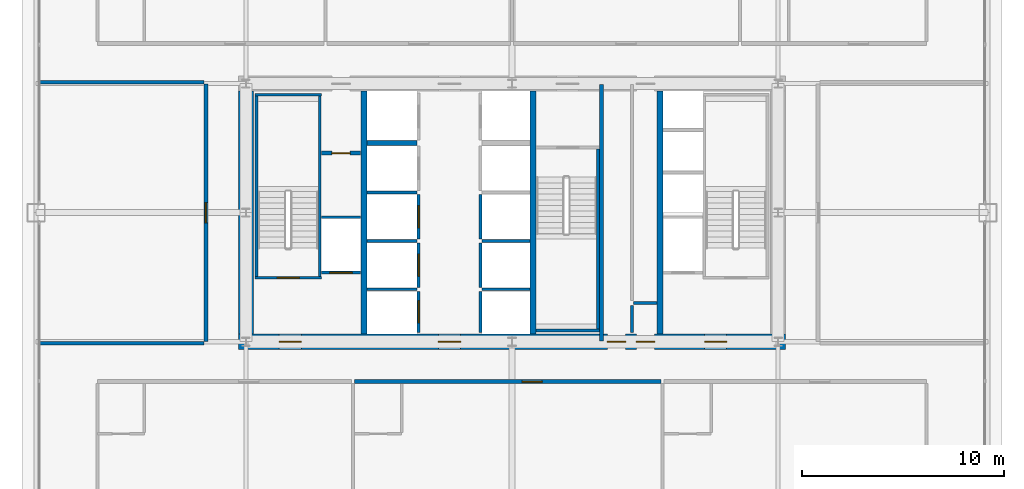
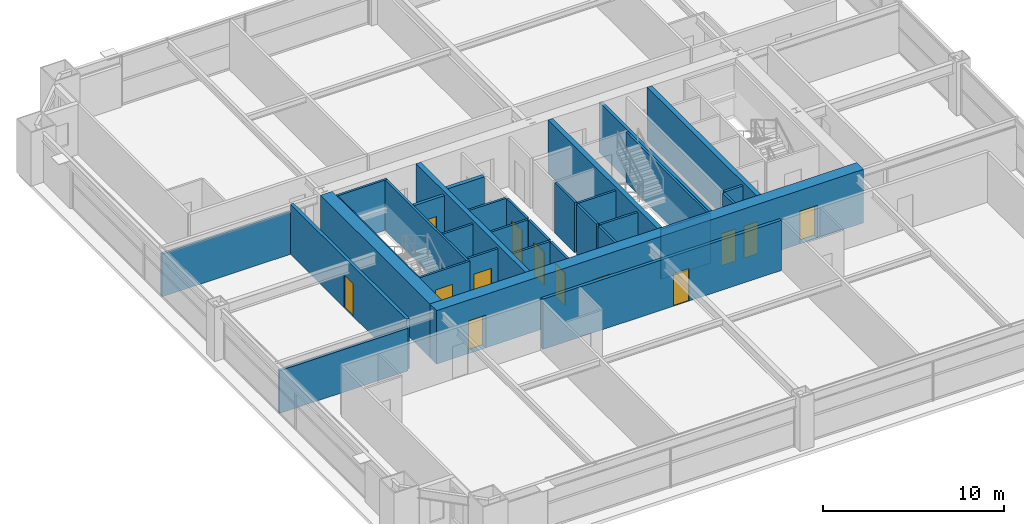
# One storey, part 34 of 37: 33 walls, 13 doors, 13 openings.
"""IFC4 building model written with IfcOpenShell, lengths in metres."""

from ifc_helpers import new_model, si_unit, direction, frame, frame_2d, origin, place, context, subcontext, project, spatial, rectangle, extrude, source, transform, mapped, material, layer, layer_set, type_object, element, fill, save


model = new_model("IFC4")

# Units and contexts
model_context = context("Model", 3, precision=1e-05, world=origin(), true_north=direction((0.0, 1.0)))
body_context = subcontext(model_context, "Body", "Model", "MODEL_VIEW")
ifc_project = project(units=[si_unit("LENGTHUNIT", "METRE"), si_unit("AREAUNIT", "SQUARE_METRE"), si_unit("VOLUMEUNIT", "CUBIC_METRE"), si_unit("PLANEANGLEUNIT", "RADIAN"), si_unit("MASSUNIT", "GRAM", prefix="KILO"), si_unit("THERMODYNAMICTEMPERATUREUNIT", "KELVIN"), si_unit("POWERUNIT", "WATT")], contexts=[model_context])

# Site, building, storey
site_placement = place(None, origin())
site = spatial("IfcSite", under=ifc_project, at=site_placement, CompositionType="ELEMENT")
building_placement = place(site_placement, origin())
building = spatial("IfcBuilding", under=site, at=building_placement, Name="Yuzanri Waterfront Tower", CompositionType="ELEMENT")
storey_placement = place(building_placement, frame((0.0, 0.0, 104.60009765625)))
storey = spatial("IfcBuildingStorey", under=building, at=storey_placement, Name="L27", CompositionType="ELEMENT", Elevation=104.60009765625)

# Wall, openings, doors
ifc_material_1 = material(Name="Concrete C55", Category="concrete")
ifc_layer_1 = layer(ifc_material_1, 0.75)
ifc_layer_set_1 = layer_set([ifc_layer_1], Name="Concrete C55")
wall_type_1 = type_object("IfcWallType", Name="Concrete C55 Low-Mid Zone Core Shear Wall 750", PredefinedType="SHEAR", material=ifc_layer_set_1)
wall_1_placement = place(storey_placement, frame((23.425048828125, 19.39990234375, 0.0), z_axis=(0.0, 0.0, 1.0), x_axis=(1.0, 0.0, 0.0)))
wall_1 = element("IfcWall", 1, at=wall_1_placement, inside=storey, type_object=wall_type_1, Name="L27 Core South Shear Wall", PredefinedType="SHEAR", context=body_context, shape_type="SweptSolid", body=[
    extrude(rectangle(XDim=27.14990234375, YDim=0.75, at=frame_2d((13.574951171875, 0.0))), origin(), (0.0, 0.0, 1.0), 3.599853515625),
])
opening_1_placement = place(wall_1_placement, frame((2.02490234375, 0.0, 0.0)))
opening_1 = element("IfcOpeningElement", 2, at=opening_1_placement, cuts=wall_1, Name="Opening FD-1100", PredefinedType="OPENING", context=body_context, shape_type="SweptSolid", body=[
    extrude(rectangle(XDim=1.10009765625, YDim=2.199951171875, at=frame_2d((0.550048828125, 1.10009765625))), frame((0.0, 0.389892578125, 0.0), z_axis=(0.0, -1.0, 0.0), x_axis=(1.0, 0.0, 0.0)), (0.0, 0.0, 1.0), 0.77978515625),
])
opening_2_placement = place(wall_1_placement, frame((9.925048828125, 0.0, 0.0)))
opening_2 = element("IfcOpeningElement", 3, at=opening_2_placement, cuts=wall_1, Name="Opening FD-1100", PredefinedType="OPENING", context=body_context, shape_type="SweptSolid", body=[
    extrude(rectangle(XDim=1.10009765625, YDim=2.199951171875, at=frame_2d((0.550048828125, 1.10009765625))), frame((0.0, 0.389892578125, 0.0), z_axis=(0.0, -1.0, 0.0), x_axis=(1.0, 0.0, 0.0)), (0.0, 0.0, 1.0), 0.77978515625),
])
opening_3_placement = place(wall_1_placement, frame((23.125, 0.0, 0.0)))
opening_3 = element("IfcOpeningElement", 4, at=opening_3_placement, cuts=wall_1, Name="Opening FD-1100", PredefinedType="OPENING", context=body_context, shape_type="SweptSolid", body=[
    extrude(rectangle(XDim=1.10009765625, YDim=2.199951171875, at=frame_2d((0.550048828125, 1.10009765625))), frame((0.0, 0.389892578125, 0.0), z_axis=(0.0, -1.0, 0.0), x_axis=(1.0, 0.0, 0.0)), (0.0, 0.0, 1.0), 0.77978515625),
])
opening_4_placement = place(wall_1_placement, frame((19.7451171875, 0.0, 0.0)))
opening_4 = element("IfcOpeningElement", 5, at=opening_4_placement, cuts=wall_1, Name="Opening FD-0900", PredefinedType="OPENING", context=body_context, shape_type="SweptSolid", body=[
    extrude(rectangle(XDim=0.89990234375, YDim=2.14990234375, at=frame_2d((0.449951171875, 1.074951171875))), frame((0.0, 0.389892578125, 0.0), z_axis=(0.0, -1.0, 0.0), x_axis=(1.0, 0.0, 0.0)), (0.0, 0.0, 1.0), 0.77978515625),
])
opening_5_placement = place(wall_1_placement, frame((18.304931640625, 0.0, 0.0)))
opening_5 = element("IfcOpeningElement", 6, at=opening_5_placement, cuts=wall_1, Name="Opening FD-0900", PredefinedType="OPENING", context=body_context, shape_type="SweptSolid", body=[
    extrude(rectangle(XDim=0.89990234375, YDim=2.14990234375, at=frame_2d((0.449951171875, 1.074951171875))), frame((0.0, 0.389892578125, 0.0), z_axis=(0.0, -1.0, 0.0), x_axis=(1.0, 0.0, 0.0)), (0.0, 0.0, 1.0), 0.77978515625),
])
ifc_material_2 = material(Name="Painted Galvanized Fire Steel", Category="steel")
door_type_1 = type_object("IfcDoorType", Name="Smoke-Proof Stair and Lobby Fire Door 1100x2200", OperationType="NOTDEFINED", PredefinedType="DOOR", material=ifc_material_2)
shared_shape_1 = source(origin(), body_context, "Body", "SweptSolid", [
    extrude(rectangle(XDim=1.10009765625, YDim=2.199951171875, at=frame_2d((0.550048828125, 1.10009765625))), frame((0.0, 0.02490234375, 0.0), z_axis=(0.0, -1.0, 0.0), x_axis=(1.0, 0.0, 0.0)), (0.0, 0.0, 1.0), 0.050048828125),
])
door_1_placement = place(opening_1_placement, origin())
door_1 = element("IfcDoor", 7, at=door_1_placement, inside=storey, type_object=door_type_1, Name="L27 West Firefighting Lobby Door", OperationType="SINGLE_SWING_LEFT", OverallHeight=2.199951171875, OverallWidth=1.10009765625, PredefinedType="DOOR", context=body_context, shape_type="MappedRepresentation", body=[
    mapped(shared_shape_1, transform((0.0, 0.0, 0.0), scale=1.0)),
])
fill(opening_1, door_1)
door_2_placement = place(opening_2_placement, origin())
door_2 = element("IfcDoor", 8, at=door_2_placement, inside=storey, type_object=door_type_1, Name="L27 Central Lift Lobby South Door", OperationType="SINGLE_SWING_RIGHT", OverallHeight=2.199951171875, OverallWidth=1.10009765625, PredefinedType="DOOR", context=body_context, shape_type="MappedRepresentation", body=[
    mapped(shared_shape_1, transform((0.0, 0.0, 0.0), scale=1.0)),
])
fill(opening_2, door_2)
door_3_placement = place(opening_3_placement, origin())
door_3 = element("IfcDoor", 9, at=door_3_placement, inside=storey, type_object=door_type_1, Name="L27 East Firefighting Lobby Door", OperationType="SINGLE_SWING_LEFT", OverallHeight=2.199951171875, OverallWidth=1.10009765625, PredefinedType="DOOR", context=body_context, shape_type="MappedRepresentation", body=[
    mapped(shared_shape_1, transform((0.0, 0.0, 0.0), scale=1.0)),
])
fill(opening_3, door_3)
ifc_material_3 = material(Name="Painted Galvanized Fire Steel", Category="steel")
door_type_2 = type_object("IfcDoorType", Name="Riser and Service Room Fire Door 900x2150", OperationType="NOTDEFINED", PredefinedType="DOOR", material=ifc_material_3)
shared_shape_2 = source(origin(), body_context, "Body", "SweptSolid", [
    extrude(rectangle(XDim=0.89990234375, YDim=2.14990234375, at=frame_2d((0.449951171875, 1.074951171875))), frame((0.0, 0.02490234375, 0.0), z_axis=(0.0, -1.0, 0.0), x_axis=(1.0, 0.0, 0.0)), (0.0, 0.0, 1.0), 0.050048828125),
])
door_4_placement = place(opening_4_placement, origin())
door_4 = element("IfcDoor", 10, at=door_4_placement, inside=storey, type_object=door_type_2, Name="L27 East Wet Riser Door", OperationType="SINGLE_SWING_RIGHT", OverallHeight=2.14990234375, OverallWidth=0.89990234375, PredefinedType="DOOR", context=body_context, shape_type="MappedRepresentation", body=[
    mapped(shared_shape_2, transform((0.0, 0.0, 0.0), scale=1.0)),
])
fill(opening_4, door_4)
door_5_placement = place(opening_5_placement, origin())
door_5 = element("IfcDoor", 11, at=door_5_placement, inside=storey, type_object=door_type_2, Name="L27 Housekeeping Room", OperationType="SINGLE_SWING_LEFT", OverallHeight=2.14990234375, OverallWidth=0.89990234375, PredefinedType="DOOR", context=body_context, shape_type="MappedRepresentation", body=[
    mapped(shared_shape_2, transform((0.0, 0.0, 0.0), scale=1.0)),
])
fill(opening_5, door_5)

# Wall, opening, door
ifc_material_4 = material(Name="Concrete C40", Category="concrete")
ifc_layer_2 = layer(ifc_material_4, 0.139892578125)
ifc_layer_set_2 = layer_set([ifc_layer_2], Name="Concrete C40")
wall_type_2 = type_object("IfcWallType", Name="Core Stair Liner and Hoistway Shaft Wall 140", PredefinedType="SOLIDWALL", material=ifc_layer_set_2)
wall_2_placement = place(storey_placement, frame((27.56005859375, 22.830078125, 0.0), z_axis=(0.0, 0.0, 1.0), x_axis=(1.0, 0.0, 0.0)))
wall_2 = element("IfcWall", 12, at=wall_2_placement, inside=storey, type_object=wall_type_2, Name="L27 Lift FL-01 Front Shaft Wall", PredefinedType="SOLIDWALL", context=body_context, shape_type="SweptSolid", body=[
    extrude(rectangle(XDim=1.919921875, YDim=0.139892578125, at=frame_2d((0.9599609375, 0.0))), origin(), (0.0, 0.0, 1.0), 3.3798828125),
])
opening_6_placement = place(wall_2_placement, frame((0.409912109375, 0.0, 0.0)))
opening_6 = element("IfcOpeningElement", 13, at=opening_6_placement, cuts=wall_2, Name="Opening LD-FL-01", PredefinedType="OPENING", context=body_context, shape_type="SweptSolid", body=[
    extrude(rectangle(XDim=1.10009765625, YDim=2.199951171875, at=frame_2d((0.550048828125, 1.10009765625))), frame((0.0, 0.0849609375, 0.0), z_axis=(0.0, -1.0, 0.0), x_axis=(1.0, 0.0, 0.0)), (0.0, 0.0, 1.0), 0.169677734375),
])
ifc_material_5 = material(Name="Brushed Bronze and Stainless Steel Cab", Category="steel")
door_type_3 = type_object("IfcDoorType", Name="Center-Parting Bronze Lift Landing Sliding Door 1100x2200", OperationType="NOTDEFINED", PredefinedType="DOOR", material=ifc_material_5)
shared_shape_3 = source(origin(), body_context, "Body", "SweptSolid", [
    extrude(rectangle(XDim=1.10009765625, YDim=2.199951171875, at=frame_2d((0.550048828125, 1.10009765625))), frame((0.0, 0.02490234375, 0.0), z_axis=(0.0, -1.0, 0.0), x_axis=(1.0, 0.0, 0.0)), (0.0, 0.0, 1.0), 0.050048828125),
])
door_6_placement = place(opening_6_placement, origin())
door_6 = element("IfcDoor", 14, at=door_6_placement, inside=storey, type_object=door_type_3, Name="L27 FL-01 Lift Landing Sliding Door", OperationType="SLIDING_TO_LEFT", OverallHeight=2.199951171875, OverallWidth=1.10009765625, PredefinedType="DOOR", context=body_context, shape_type="MappedRepresentation", body=[
    mapped(shared_shape_3, transform((0.0, 0.0, 0.0), scale=1.0)),
])
fill(opening_6, door_6)

wall_3_placement = place(storey_placement, frame((32.3701171875, 19.860107421875, 0.0), z_axis=(0.0, 0.0, 1.0), x_axis=(0.0, 1.0, 0.0)))
wall_3 = element("IfcWall", 15, at=wall_3_placement, inside=storey, type_object=wall_type_2, Name="L27 Lift PL-01 Front Shaft Wall", PredefinedType="SOLIDWALL", context=body_context, shape_type="SweptSolid", body=[
    extrude(rectangle(XDim=2.039794921875, YDim=0.139892578125, at=frame_2d((1.02001953125, 0.0))), origin(), (0.0, 0.0, 1.0), 3.3798828125),
])
opening_7_placement = place(wall_3_placement, frame((0.469970703125, 0.0, 0.0)))
opening_7 = element("IfcOpeningElement", 16, at=opening_7_placement, cuts=wall_3, Name="Opening LD-PL-01", PredefinedType="OPENING", context=body_context, shape_type="SweptSolid", body=[
    extrude(rectangle(XDim=1.10009765625, YDim=2.199951171875, at=frame_2d((0.550048828125, 1.10009765625))), frame((0.0, 0.0849609375, 0.0), z_axis=(0.0, -1.0, 0.0), x_axis=(1.0, 0.0, 0.0)), (0.0, 0.0, 1.0), 0.169677734375),
])
door_7_placement = place(opening_7_placement, origin())
door_7 = element("IfcDoor", 17, at=door_7_placement, inside=storey, type_object=door_type_3, Name="L27 PL-01 Lift Landing Sliding Door", OperationType="SLIDING_TO_LEFT", OverallHeight=2.199951171875, OverallWidth=1.10009765625, PredefinedType="DOOR", context=body_context, shape_type="MappedRepresentation", body=[
    mapped(shared_shape_3, transform((0.0, 0.0, 0.0), scale=1.0)),
])
fill(opening_7, door_7)

wall_4_placement = place(storey_placement, frame((32.3701171875, 22.10009765625, 0.0), z_axis=(0.0, 0.0, 1.0), x_axis=(0.0, 1.0, 0.0)))
wall_4 = element("IfcWall", 18, at=wall_4_placement, inside=storey, type_object=wall_type_2, Name="L27 Lift PL-02 Front Shaft Wall", PredefinedType="SOLIDWALL", context=body_context, shape_type="SweptSolid", body=[
    extrude(rectangle(XDim=2.199951171875, YDim=0.139892578125, at=frame_2d((1.10009765625, 0.0))), origin(), (0.0, 0.0, 1.0), 3.3798828125),
])
opening_8_placement = place(wall_4_placement, frame((0.550048828125, 0.0, 0.0)))
opening_8 = element("IfcOpeningElement", 19, at=opening_8_placement, cuts=wall_4, Name="Opening LD-PL-02", PredefinedType="OPENING", context=body_context, shape_type="SweptSolid", body=[
    extrude(rectangle(XDim=1.10009765625, YDim=2.199951171875, at=frame_2d((0.550048828125, 1.10009765625))), frame((0.0, 0.0849609375, 0.0), z_axis=(0.0, -1.0, 0.0), x_axis=(1.0, 0.0, 0.0)), (0.0, 0.0, 1.0), 0.169677734375),
])
door_8_placement = place(opening_8_placement, origin())
door_8 = element("IfcDoor", 20, at=door_8_placement, inside=storey, type_object=door_type_3, Name="L27 PL-02 Lift Landing Sliding Door", OperationType="SLIDING_TO_RIGHT", OverallHeight=2.199951171875, OverallWidth=1.10009765625, PredefinedType="DOOR", context=body_context, shape_type="MappedRepresentation", body=[
    mapped(shared_shape_3, transform((0.0, 0.0, 0.0), scale=1.0)),
])
fill(opening_8, door_8)

wall_5_placement = place(storey_placement, frame((32.3701171875, 24.5, 0.0), z_axis=(0.0, 0.0, 1.0), x_axis=(0.0, 1.0, 0.0)))
wall_5 = element("IfcWall", 21, at=wall_5_placement, inside=storey, type_object=wall_type_2, Name="L27 Lift PL-03 Front Shaft Wall", PredefinedType="SOLIDWALL", context=body_context, shape_type="SweptSolid", body=[
    extrude(rectangle(XDim=2.199951171875, YDim=0.139892578125, at=frame_2d((1.10009765625, 0.0))), origin(), (0.0, 0.0, 1.0), 3.3798828125),
])
opening_9_placement = place(wall_5_placement, frame((0.550048828125, 0.0, 0.0)))
opening_9 = element("IfcOpeningElement", 22, at=opening_9_placement, cuts=wall_5, Name="Opening LD-PL-03", PredefinedType="OPENING", context=body_context, shape_type="SweptSolid", body=[
    extrude(rectangle(XDim=1.10009765625, YDim=2.199951171875, at=frame_2d((0.550048828125, 1.10009765625))), frame((0.0, 0.0849609375, 0.0), z_axis=(0.0, -1.0, 0.0), x_axis=(1.0, 0.0, 0.0)), (0.0, 0.0, 1.0), 0.169677734375),
])
door_9_placement = place(opening_9_placement, origin())
door_9 = element("IfcDoor", 23, at=door_9_placement, inside=storey, type_object=door_type_3, Name="L27 PL-03 Lift Landing Sliding Door", OperationType="SLIDING_TO_LEFT", OverallHeight=2.199951171875, OverallWidth=1.10009765625, PredefinedType="DOOR", context=body_context, shape_type="MappedRepresentation", body=[
    mapped(shared_shape_3, transform((0.0, 0.0, 0.0), scale=1.0)),
])
fill(opening_9, door_9)

wall_6_placement = place(storey_placement, frame((24.260009765625, 22.570068359375, 0.0), z_axis=(0.0, 0.0, 1.0), x_axis=(1.0, 0.0, 0.0)))
wall_6 = element("IfcWall", 24, at=wall_6_placement, inside=storey, type_object=wall_type_2, Name="L27 Shaft Wall STW-L27-ST-01-S", PredefinedType="SOLIDWALL", context=body_context, shape_type="SweptSolid", body=[
    extrude(rectangle(XDim=3.280029296875, YDim=0.139892578125, at=frame_2d((1.64013671875, 0.0))), origin(), (0.0, 0.0, 1.0), 3.3798828125),
])
opening_10_placement = place(wall_6_placement, frame((1.090087890625, 0.0, 0.0)))
opening_10 = element("IfcOpeningElement", 25, at=opening_10_placement, cuts=wall_6, Name="Opening FD-1100", PredefinedType="OPENING", context=body_context, shape_type="SweptSolid", body=[
    extrude(rectangle(XDim=1.10009765625, YDim=2.199951171875, at=frame_2d((0.550048828125, 1.10009765625))), frame((0.0, 0.0849609375, 0.0), z_axis=(0.0, -1.0, 0.0), x_axis=(1.0, 0.0, 0.0)), (0.0, 0.0, 1.0), 0.169677734375),
])
door_10_placement = place(opening_10_placement, origin())
door_10 = element("IfcDoor", 26, at=door_10_placement, inside=storey, type_object=door_type_1, Name="L27 Stair ST-01 Fire Door", OperationType="SINGLE_SWING_RIGHT", OverallHeight=2.199951171875, OverallWidth=1.10009765625, PredefinedType="DOOR", context=body_context, shape_type="MappedRepresentation", body=[
    mapped(shared_shape_1, transform((0.0, 0.0, 0.0), scale=1.0)),
])
fill(opening_10, door_10)

ifc_material_6 = material(Name="Autoclaved Aerated Concrete Blockwork", Category="masonry")
ifc_layer_3 = layer(ifc_material_6, 0.199951171875)
ifc_layer_set_3 = layer_set([ifc_layer_3], Name="Autoclaved Aerated Concrete Blockwork")
wall_type_3 = type_object("IfcWallType", Name="Corridor and Unit Party Fire Wall 200", PredefinedType="PARTITIONING", material=ifc_layer_set_3)
wall_7_placement = place(storey_placement, frame((27.56005859375, 28.75, 0.0), z_axis=(0.0, 0.0, 1.0), x_axis=(1.0, 0.0, 0.0)))
wall_7 = element("IfcWall", 27, at=wall_7_placement, inside=storey, type_object=wall_type_3, Name="L27 Partition CRW-L27-ERTR", PredefinedType="PARTITIONING", context=body_context, shape_type="SweptSolid", body=[
    extrude(rectangle(XDim=1.919921875, YDim=0.199951171875, at=frame_2d((0.9599609375, 0.0))), origin(), (0.0, 0.0, 1.0), 3.3798828125),
])
opening_11_placement = place(wall_7_placement, frame((0.510009765625, 0.0, 0.0)))
opening_11 = element("IfcOpeningElement", 28, at=opening_11_placement, cuts=wall_7, Name="Opening FD-0900", PredefinedType="OPENING", context=body_context, shape_type="SweptSolid", body=[
    extrude(rectangle(XDim=0.89990234375, YDim=2.14990234375, at=frame_2d((0.449951171875, 1.074951171875))), frame((0.0, 0.11474609375, 0.0), z_axis=(0.0, -1.0, 0.0), x_axis=(1.0, 0.0, 0.0)), (0.0, 0.0, 1.0), 0.229736328125),
])
door_11_placement = place(opening_11_placement, origin())
door_11 = element("IfcDoor", 29, at=door_11_placement, inside=storey, type_object=door_type_2, Name="L27 Electrical Riser Door", OperationType="SINGLE_SWING_LEFT", OverallHeight=2.14990234375, OverallWidth=0.89990234375, PredefinedType="DOOR", context=body_context, shape_type="MappedRepresentation", body=[
    mapped(shared_shape_2, transform((0.0, 0.0, 0.0), scale=1.0)),
])
fill(opening_11, door_11)

wall_8_placement = place(storey_placement, frame((29.198974609375, 17.419921875, 0.0), z_axis=(0.0, 0.0, 1.0), x_axis=(1.0, 0.0, 0.0)))
wall_8 = element("IfcWall", 30, at=wall_8_placement, inside=storey, type_object=wall_type_3, Name="L27 Partition UW-L27-S2-CN", PredefinedType="PARTITIONING", context=body_context, shape_type="SweptSolid", body=[
    extrude(rectangle(XDim=15.19091796875, YDim=0.199951171875, at=frame_2d((7.595458984375, 0.0))), origin(), (0.0, 0.0, 1.0), 3.3798828125),
])
opening_12_placement = place(wall_8_placement, frame((8.300048828125, 0.0, 0.0)))
opening_12 = element("IfcOpeningElement", 31, at=opening_12_placement, cuts=wall_8, Name="Opening FD-1000", PredefinedType="OPENING", context=body_context, shape_type="SweptSolid", body=[
    extrude(rectangle(XDim=1.0, YDim=2.199951171875, at=frame_2d((0.5, 1.10009765625))), frame((0.0, 0.11474609375, 0.0), z_axis=(0.0, -1.0, 0.0), x_axis=(1.0, 0.0, 0.0)), (0.0, 0.0, 1.0), 0.229736328125),
])
ifc_material_7 = material(Name="Engineered Oak Fire-Rated Timber", Category="wood")
door_type_4 = type_object("IfcDoorType", Name="Guestroom and Apartment Entrance Fire Door 1000x2200", OperationType="NOTDEFINED", PredefinedType="DOOR", material=ifc_material_7)
shared_shape_4 = source(origin(), body_context, "Body", "SweptSolid", [
    extrude(rectangle(XDim=1.0, YDim=2.199951171875, at=frame_2d((0.5, 1.10009765625))), frame((0.0, 0.02490234375, 0.0), z_axis=(0.0, -1.0, 0.0), x_axis=(1.0, 0.0, 0.0)), (0.0, 0.0, 1.0), 0.050048828125),
])
door_12_placement = place(opening_12_placement, origin())
door_12 = element("IfcDoor", 32, at=door_12_placement, inside=storey, type_object=door_type_4, Name="L27 Diplomatic Riverfront Suite Entrance Door", OperationType="SINGLE_SWING_LEFT", OverallHeight=2.199951171875, OverallWidth=1.0, PredefinedType="DOOR", context=body_context, shape_type="MappedRepresentation", body=[
    mapped(shared_shape_4, transform((0.0, 0.0, 0.0), scale=1.0)),
])
fill(opening_12, door_12)

wall_9_placement = place(storey_placement, frame((21.820068359375, 19.409912109375, 0.0), z_axis=(0.0, 0.0, 1.0), x_axis=(0.0, 1.0, 0.0)))
wall_9 = element("IfcWall", 33, at=wall_9_placement, inside=storey, type_object=wall_type_3, Name="L27 Partition UW-L27-W1-CW", PredefinedType="PARTITIONING", context=body_context, shape_type="SweptSolid", body=[
    extrude(rectangle(XDim=12.780029296875, YDim=0.199951171875, at=frame_2d((6.39013671875, 0.0))), origin(), (0.0, 0.0, 1.0), 3.3798828125),
])
opening_13_placement = place(wall_9_placement, frame((5.889892578125, 0.0, 0.0)))
opening_13 = element("IfcOpeningElement", 34, at=opening_13_placement, cuts=wall_9, Name="Opening FD-1000", PredefinedType="OPENING", context=body_context, shape_type="SweptSolid", body=[
    extrude(rectangle(XDim=1.0, YDim=2.199951171875, at=frame_2d((0.5, 1.10009765625))), frame((0.0, 0.11474609375, 0.0), z_axis=(0.0, -1.0, 0.0), x_axis=(1.0, 0.0, 0.0)), (0.0, 0.0, 1.0), 0.229736328125),
])
door_13_placement = place(opening_13_placement, origin())
door_13 = element("IfcDoor", 35, at=door_13_placement, inside=storey, type_object=door_type_4, Name="L27 Horizon Diplomatic Club Room Entrance Door", OperationType="SINGLE_SWING_LEFT", OverallHeight=2.199951171875, OverallWidth=1.0, PredefinedType="DOOR", context=body_context, shape_type="MappedRepresentation", body=[
    mapped(shared_shape_4, transform((0.0, 0.0, 0.0), scale=1.0)),
])
fill(opening_13, door_13)

# Walls
shared_shape_5 = source(origin(), body_context, "Body", "SweptSolid", [
    extrude(rectangle(XDim=12.050048828125, YDim=0.75, at=frame_2d((6.02490234375, 0.0))), origin(), (0.0, 0.0, 1.0), 3.599853515625),
])
wall_10_placement = place(storey_placement, frame((23.800048828125, 19.77490234375, 0.0), z_axis=(0.0, 0.0, 1.0), x_axis=(0.0, 1.0, 0.0)))
element("IfcWall", 36, at=wall_10_placement, inside=storey, type_object=wall_type_1, Name="L27 Core West Shear Wall", PredefinedType="SHEAR", context=body_context, shape_type="MappedRepresentation", body=[
    mapped(shared_shape_5, transform((0.0, 0.0, 0.0), scale=1.0)),
])
ifc_material_8 = material(Name="Concrete C50", Category="concrete")
ifc_layer_4 = layer(ifc_material_8, 0.300048828125)
ifc_layer_set_4 = layer_set([ifc_layer_4], Name="Concrete C50")
wall_type_4 = type_object("IfcWallType", Name="Concrete C50 Internal Core Shaft Structural Wall 300", PredefinedType="SOLIDWALL", material=ifc_layer_set_4)
shared_shape_6 = source(origin(), body_context, "Body", "SweptSolid", [
    extrude(rectangle(XDim=12.050048828125, YDim=0.300048828125, at=frame_2d((6.02490234375, 0.0))), origin(), (0.0, 0.0, 1.0), 3.599853515625),
])
for number, where, z_axis, x_axis, name in (
    (37, (29.64990234375, 19.77490234375, 0.0), (0.0, 0.0, 1.0), (0.0, 1.0, 0.0), "L27 Core Internal Structural Web Wall 1"),
    (38, (38.050048828125, 19.77490234375, 0.0), (0.0, 0.0, 1.0), (0.0, 1.0, 0.0), "L27 Core Internal Structural Web Wall 2"),
    (39, (44.35009765625, 19.77490234375, 0.0), (0.0, 0.0, 1.0), (0.0, 1.0, 0.0), "L27 Core Internal Structural Web Wall 3"),
):
    element("IfcWall", number, at=place(storey_placement, frame(where, z_axis=z_axis, x_axis=x_axis)), inside=storey, type_object=wall_type_4, Name=name, PredefinedType="SOLIDWALL", context=body_context, shape_type="MappedRepresentation", body=[
        mapped(shared_shape_6, transform((0.0, 0.0, 0.0), scale=1.0)),
    ])
shared_shape_7 = source(origin(), body_context, "Body", "SweptSolid", [
    extrude(rectangle(XDim=1.919921875, YDim=0.139892578125, at=frame_2d((0.9599609375, 0.0))), origin(), (0.0, 0.0, 1.0), 3.3798828125),
])
wall_11_placement = place(storey_placement, frame((27.56005859375, 25.570068359375, 0.0), z_axis=(0.0, 0.0, 1.0), x_axis=(1.0, 0.0, 0.0)))
element("IfcWall", 40, at=wall_11_placement, inside=storey, type_object=wall_type_2, Name="L27 Lift FL-01 Back Shaft Wall", PredefinedType="SOLIDWALL", context=body_context, shape_type="MappedRepresentation", body=[
    mapped(shared_shape_7, transform((0.0, 0.0, 0.0), scale=1.0)),
])
shared_shape_8 = source(origin(), body_context, "Body", "SweptSolid", [
    extrude(rectangle(XDim=2.5, YDim=0.139892578125, at=frame_2d((1.25, 0.0))), origin(), (0.0, 0.0, 1.0), 3.3798828125),
])
for number, where, z_axis, x_axis, name in (
    (41, (29.800048828125, 22.0, 0.0), (0.0, 0.0, 1.0), (1.0, 0.0, 0.0), "L27 Lift PL-01 Divider Wall"),
    (42, (29.800048828125, 24.39990234375, 0.0), (0.0, 0.0, 1.0), (1.0, 0.0, 0.0), "L27 Lift PL-02 Divider Wall"),
    (43, (29.800048828125, 26.800048828125, 0.0), (0.0, 0.0, 1.0), (1.0, 0.0, 0.0), "L27 Lift PL-03 Divider Wall"),
):
    element("IfcWall", number, at=place(storey_placement, frame(where, z_axis=z_axis, x_axis=x_axis)), inside=storey, type_object=wall_type_2, Name=name, PredefinedType="SOLIDWALL", context=body_context, shape_type="MappedRepresentation", body=[
        mapped(shared_shape_8, transform((0.0, 0.0, 0.0), scale=1.0)),
    ])
ifc_material_9 = material(Name="Concrete C40", Category="concrete")
ifc_layer_5 = layer(ifc_material_9, 0.25)
ifc_layer_set_5 = layer_set([ifc_layer_5], Name="Concrete C40")
wall_type_5 = type_object("IfcWallType", Name="Smoke-Proof Stair and Lift Shaft Wall 250", PredefinedType="SOLIDWALL", material=ifc_layer_set_5)
shared_shape_9 = source(origin(), body_context, "Body", "SweptSolid", [
    extrude(rectangle(XDim=2.5, YDim=0.25, at=frame_2d((1.25, 0.0))), origin(), (0.0, 0.0, 1.0), 3.3798828125),
])
wall_12_placement = place(storey_placement, frame((29.800048828125, 29.25, 0.0), z_axis=(0.0, 0.0, 1.0), x_axis=(1.0, 0.0, 0.0)))
element("IfcWall", 44, at=wall_12_placement, inside=storey, type_object=wall_type_5, Name="L27 Lift SL-01 South Shaft Wall", PredefinedType="SOLIDWALL", context=body_context, shape_type="MappedRepresentation", body=[
    mapped(shared_shape_9, transform((0.0, 0.0, 0.0), scale=1.0)),
])
shared_shape_10 = source(origin(), body_context, "Body", "SweptSolid", [
    extrude(rectangle(XDim=2.039794921875, YDim=0.139892578125, at=frame_2d((1.02001953125, 0.0))), origin(), (0.0, 0.0, 1.0), 3.3798828125),
])
wall_13_placement = place(storey_placement, frame((35.429931640625, 19.860107421875, 0.0), z_axis=(0.0, 0.0, 1.0), x_axis=(0.0, 1.0, 0.0)))
element("IfcWall", 45, at=wall_13_placement, inside=storey, type_object=wall_type_2, Name="L27 Lift PL-05 Front Shaft Wall", PredefinedType="SOLIDWALL", context=body_context, shape_type="MappedRepresentation", body=[
    mapped(shared_shape_10, transform((0.0, 0.0, 0.0), scale=1.0)),
])
shared_shape_11 = source(origin(), body_context, "Body", "SweptSolid", [
    extrude(rectangle(XDim=2.39990234375, YDim=0.139892578125, at=frame_2d((1.199951171875, 0.0))), origin(), (0.0, 0.0, 1.0), 3.3798828125),
])
for number, where, z_axis, x_axis, name in (
    (46, (35.5, 22.0, 0.0), (0.0, 0.0, 1.0), (1.0, 0.0, 0.0), "L27 Lift PL-05 Divider Wall"),
    (47, (35.5, 24.39990234375, 0.0), (0.0, 0.0, 1.0), (1.0, 0.0, 0.0), "L27 Lift PL-06 Divider Wall"),
):
    element("IfcWall", number, at=place(storey_placement, frame(where, z_axis=z_axis, x_axis=x_axis)), inside=storey, type_object=wall_type_2, Name=name, PredefinedType="SOLIDWALL", context=body_context, shape_type="MappedRepresentation", body=[
        mapped(shared_shape_11, transform((0.0, 0.0, 0.0), scale=1.0)),
    ])
shared_shape_12 = source(origin(), body_context, "Body", "SweptSolid", [
    extrude(rectangle(XDim=2.199951171875, YDim=0.139892578125, at=frame_2d((1.10009765625, 0.0))), origin(), (0.0, 0.0, 1.0), 3.3798828125),
])
for number, where, z_axis, x_axis, name in (
    (48, (35.429931640625, 22.10009765625, 0.0), (0.0, 0.0, 1.0), (0.0, 1.0, 0.0), "L27 Lift PL-06 Front Shaft Wall"),
    (49, (35.429931640625, 24.5, 0.0), (0.0, 0.0, 1.0), (0.0, 1.0, 0.0), "L27 Lift PL-07 Front Shaft Wall"),
):
    element("IfcWall", number, at=place(storey_placement, frame(where, z_axis=z_axis, x_axis=x_axis)), inside=storey, type_object=wall_type_2, Name=name, PredefinedType="SOLIDWALL", context=body_context, shape_type="MappedRepresentation", body=[
        mapped(shared_shape_12, transform((0.0, 0.0, 0.0), scale=1.0)),
    ])
shared_shape_13 = source(origin(), body_context, "Body", "SweptSolid", [
    extrude(rectangle(XDim=3.280029296875, YDim=0.139892578125, at=frame_2d((1.64013671875, 0.0))), origin(), (0.0, 0.0, 1.0), 3.3798828125),
])
wall_14_placement = place(storey_placement, frame((24.260009765625, 31.64990234375, 0.0), z_axis=(0.0, 0.0, 1.0), x_axis=(1.0, 0.0, 0.0)))
element("IfcWall", 50, at=wall_14_placement, inside=storey, type_object=wall_type_2, Name="L27 Stair ST-01 North Shaft Wall", PredefinedType="SOLIDWALL", context=body_context, shape_type="MappedRepresentation", body=[
    mapped(shared_shape_13, transform((0.0, 0.0, 0.0), scale=1.0)),
])
shared_shape_14 = source(origin(), body_context, "Body", "SweptSolid", [
    extrude(rectangle(XDim=8.940185546875, YDim=0.139892578125, at=frame_2d((4.47021484375, 0.0))), origin(), (0.0, 0.0, 1.0), 3.3798828125),
])
for number, where, z_axis, x_axis, name in (
    (51, (24.330078125, 22.639892578125, 0.0), (0.0, 0.0, 1.0), (0.0, 1.0, 0.0), "L27 Stair ST-01 West Shaft Wall"),
    (52, (27.469970703125, 22.639892578125, 0.0), (0.0, 0.0, 1.0), (0.0, 1.0, 0.0), "L27 Stair ST-01 East Shaft Wall"),
):
    element("IfcWall", number, at=place(storey_placement, frame(where, z_axis=z_axis, x_axis=x_axis)), inside=storey, type_object=wall_type_2, Name=name, PredefinedType="SOLIDWALL", context=body_context, shape_type="MappedRepresentation", body=[
        mapped(shared_shape_14, transform((0.0, 0.0, 0.0), scale=1.0)),
    ])
shared_shape_15 = source(origin(), body_context, "Body", "SweptSolid", [
    extrude(rectangle(XDim=3.14013671875, YDim=0.139892578125, at=frame_2d((1.570068359375, 0.0))), origin(), (0.0, 0.0, 1.0), 3.3798828125),
])
wall_15_placement = place(storey_placement, frame((38.199951171875, 19.949951171875, 0.0), z_axis=(0.0, 0.0, 1.0), x_axis=(1.0, 0.0, 0.0)))
element("IfcWall", 53, at=wall_15_placement, inside=storey, type_object=wall_type_2, Name="L27 Stair ST-03 South Shaft Wall", PredefinedType="SOLIDWALL", context=body_context, shape_type="MappedRepresentation", body=[
    mapped(shared_shape_15, transform((0.0, 0.0, 0.0), scale=1.0)),
])
shared_shape_16 = source(origin(), body_context, "Body", "SweptSolid", [
    extrude(rectangle(XDim=8.93994140625, YDim=0.139892578125, at=frame_2d((4.469970703125, 0.0))), origin(), (0.0, 0.0, 1.0), 3.3798828125),
])
wall_16_placement = place(storey_placement, frame((41.27001953125, 20.02001953125, 0.0), z_axis=(0.0, 0.0, 1.0), x_axis=(0.0, 1.0, 0.0)))
element("IfcWall", 54, at=wall_16_placement, inside=storey, type_object=wall_type_2, Name="L27 Stair ST-03 East Shaft Wall", PredefinedType="SOLIDWALL", context=body_context, shape_type="MappedRepresentation", body=[
    mapped(shared_shape_16, transform((0.0, 0.0, 0.0), scale=1.0)),
])
ifc_material_10 = material(Name="Gypsum Fireboard Acoustic Stud Wall", Category="gypsum")
ifc_layer_6 = layer(ifc_material_10, 0.159912109375)
ifc_layer_set_6 = layer_set([ifc_layer_6], Name="Gypsum Fireboard Acoustic Stud Wall")
wall_type_6 = type_object("IfcWallType", Name="Acoustic Suite Demising Partition 160", PredefinedType="PARTITIONING", material=ifc_layer_set_6)
shared_shape_17 = source(origin(), body_context, "Body", "SweptSolid", [
    extrude(rectangle(XDim=1.33984375, YDim=0.159912109375, at=frame_2d((0.669921875, 0.0))), origin(), (0.0, 0.0, 1.0), 3.3798828125),
])
wall_17_placement = place(storey_placement, frame((42.949951171875, 19.860107421875, 0.0), z_axis=(0.0, 0.0, 1.0), x_axis=(0.0, 1.0, 0.0)))
element("IfcWall", 55, at=wall_17_placement, inside=storey, type_object=wall_type_6, Name="L27 East Wet Riser West Wall", PredefinedType="PARTITIONING", context=body_context, shape_type="MappedRepresentation", body=[
    mapped(shared_shape_17, transform((0.0, 0.0, 0.0), scale=1.0)),
])
shared_shape_18 = source(origin(), body_context, "Body", "SweptSolid", [
    extrude(rectangle(XDim=1.169921875, YDim=0.159912109375, at=frame_2d((0.5849609375, 0.0))), origin(), (0.0, 0.0, 1.0), 3.3798828125),
])
wall_18_placement = place(storey_placement, frame((43.030029296875, 21.320068359375, 0.0), z_axis=(0.0, 0.0, 1.0), x_axis=(1.0, 0.0, 0.0)))
element("IfcWall", 56, at=wall_18_placement, inside=storey, type_object=wall_type_6, Name="L27 East Wet Riser North Wall", PredefinedType="PARTITIONING", context=body_context, shape_type="MappedRepresentation", body=[
    mapped(shared_shape_18, transform((0.0, 0.0, 0.0), scale=1.0)),
])
shared_shape_19 = source(origin(), body_context, "Body", "SweptSolid", [
    extrude(rectangle(XDim=12.719970703125, YDim=0.199951171875, at=frame_2d((6.35986328125, 0.0))), origin(), (0.0, 0.0, 1.0), 3.3798828125),
])
wall_19_placement = place(storey_placement, frame((41.449951171875, 19.43994140625, 0.0), z_axis=(0.0, 0.0, 1.0), x_axis=(0.0, 1.0, 0.0)))
element("IfcWall", 57, at=wall_19_placement, inside=storey, type_object=wall_type_3, Name="L27 Core BOH West Wall 1", PredefinedType="PARTITIONING", context=body_context, shape_type="MappedRepresentation", body=[
    mapped(shared_shape_19, transform((0.0, 0.0, 0.0), scale=1.0)),
])
shared_shape_20 = source(origin(), body_context, "Body", "SweptSolid", [
    extrude(rectangle(XDim=8.169921875, YDim=0.159912109375, at=frame_2d((4.0849609375, 0.0))), origin(), (0.0, 0.0, 1.0), 2.875),
])
for number, where, z_axis, x_axis, name in (
    (58, (13.550048828125, 19.330078125, 0.0), (0.0, 0.0, 1.0), (1.0, 0.0, 0.0), "L27-W1 Wing South End Wall"),
    (59, (13.550048828125, 32.27001953125, 0.0), (0.0, 0.0, 1.0), (1.0, 0.0, 0.0), "L27-W1 Wing North End Wall"),
):
    element("IfcWall", number, at=place(storey_placement, frame(where, z_axis=z_axis, x_axis=x_axis)), inside=storey, type_object=wall_type_6, Name=name, PredefinedType="PARTITIONING", context=body_context, shape_type="MappedRepresentation", body=[
        mapped(shared_shape_20, transform((0.0, 0.0, 0.0), scale=1.0)),
    ])

save(model, "model.ifc")
